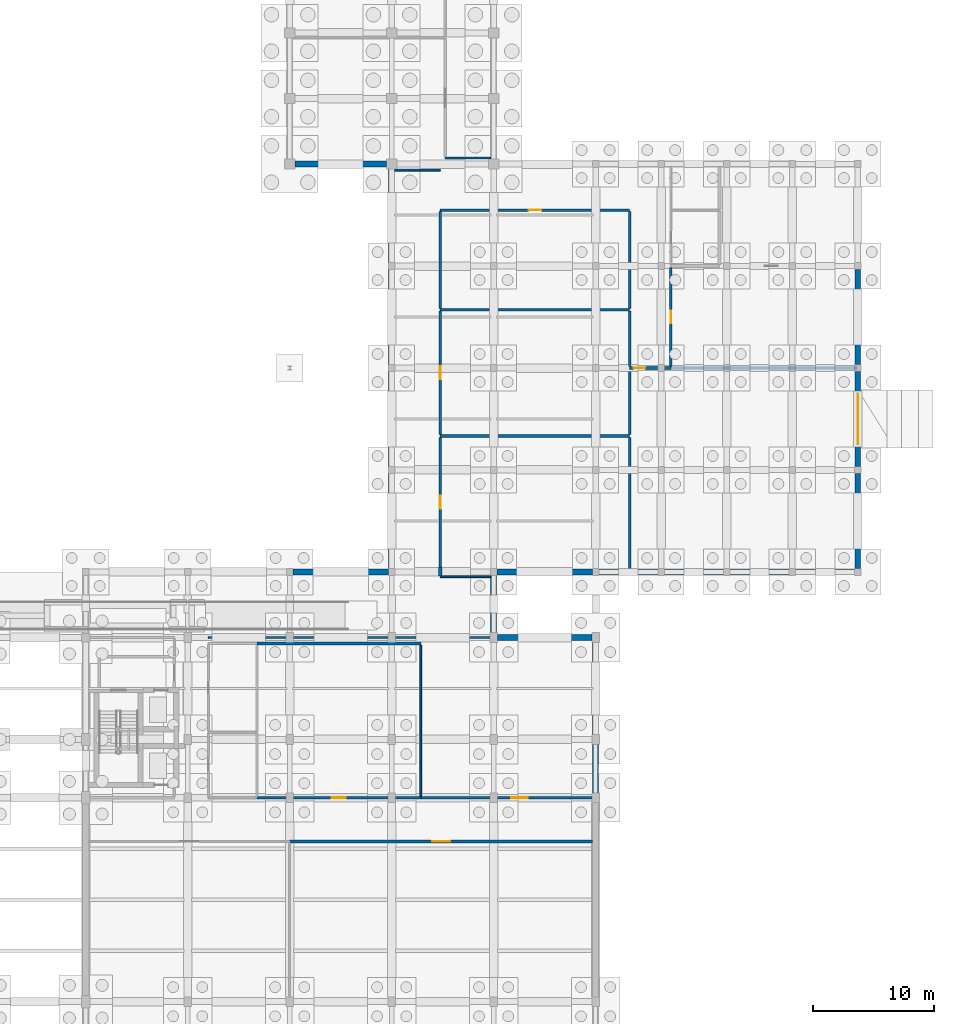
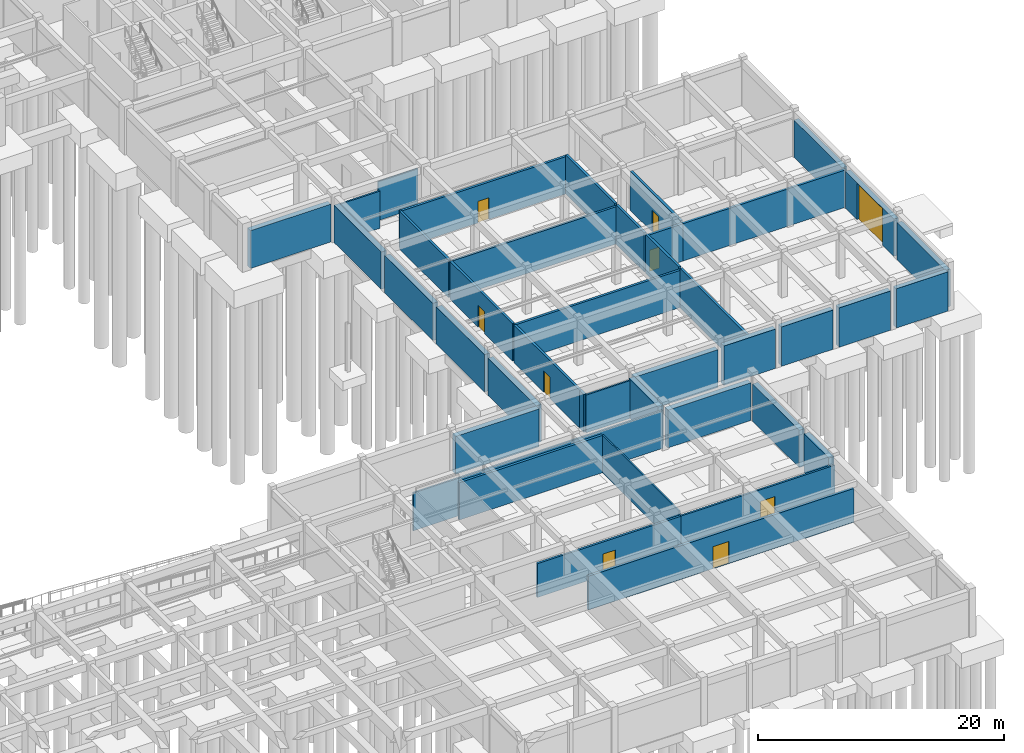
# One storey, part 39 of 49: 41 walls, 9 doors, 9 openings.
"""IFC4 building model written with IfcOpenShell, lengths in metres."""

from ifc_helpers import new_model, si_unit, direction, frame, frame_2d, origin, place, context, subcontext, project, spatial, rectangle, extrude, material, layer, layer_set, type_object, element, fill, save


model = new_model("IFC4")

# Units and contexts
model_context = context("Model", 3, precision=1e-05, world=origin(), true_north=direction((0.0, 1.0)))
body_context = subcontext(model_context, "Body", "Model", "MODEL_VIEW")
ifc_project = project(units=[si_unit("LENGTHUNIT", "METRE"), si_unit("AREAUNIT", "SQUARE_METRE"), si_unit("VOLUMEUNIT", "CUBIC_METRE"), si_unit("PLANEANGLEUNIT", "RADIAN"), si_unit("MASSUNIT", "GRAM", prefix="KILO")], contexts=[model_context])

# Site, building, storey
site_placement = place(None, origin())
site = spatial("IfcSite", under=ifc_project, at=site_placement, CompositionType="ELEMENT")
building_placement = place(site_placement, origin())
building = spatial("IfcBuilding", under=site, at=building_placement, Name="Krzemoval Escarpment Law Courts", CompositionType="ELEMENT")
storey_placement = place(building_placement, frame((0.0, 0.0, -4.800048828125)))
storey = spatial("IfcBuildingStorey", under=building, at=storey_placement, Name="B1", CompositionType="ELEMENT", Elevation=-4.800048828125)

# Walls
ifc_material_1 = material(Name="Sanitary Moisture-Resistant Partition", Category="gypsum")
ifc_layer_1 = layer(ifc_material_1, 0.139892578125)
ifc_layer_set_1 = layer_set([ifc_layer_1], Name="Sanitary Moisture-Resistant Partition")
wall_type_1 = type_object("IfcWallType", Name="WL-PRT-140", PredefinedType="PARTITIONING", material=ifc_layer_set_1)
wall_1_placement = place(storey_placement, frame((138.800048828125, 74.89990234375, 0.0), z_axis=(0.0, 0.0, 1.0), x_axis=(1.0, 0.0, 0.0)))
element("IfcWall", 1, at=wall_1_placement, inside=storey, type_object=wall_type_1, Name="Interior Partition PW-B1-0035", PredefinedType="PARTITIONING", context=body_context, shape_type="SweptSolid", body=[
    extrude(rectangle(XDim=3.748046875, YDim=0.139892578125, at=frame_2d((1.8740234375, 0.0))), origin(), (0.0, 0.0, 1.0), 3.85009765625),
])
wall_2_placement = place(storey_placement, frame((136.800048828125, 22.302001953125, 0.0), z_axis=(0.0, 0.0, 1.0), x_axis=(0.0, 1.0, 0.0)))
element("IfcWall", 2, at=wall_2_placement, inside=storey, type_object=wall_type_1, Name="Interior Partition PW-B1-0061", PredefinedType="PARTITIONING", context=body_context, shape_type="SweptSolid", body=[
    extrude(rectangle(XDim=12.47607421875, YDim=0.139892578125, at=frame_2d((6.238037109375, 0.0))), origin(), (0.0, 0.0, 1.0), 3.75),
])
ifc_material_2 = material(Name="Office Acoustic Partition Wall", Category="gypsum")
ifc_layer_2 = layer(ifc_material_2, 0.14990234375)
ifc_layer_set_2 = layer_set([ifc_layer_2], Name="Office Acoustic Partition Wall")
wall_type_2 = type_object("IfcWallType", Name="WL-PRT-150", PredefinedType="PARTITIONING", material=ifc_layer_set_2)
wall_3_placement = place(storey_placement, frame((138.39990234375, 40.39990234375, 0.0), z_axis=(0.0, 0.0, 1.0), x_axis=(1.0, 0.0, 0.0)))
element("IfcWall", 3, at=wall_3_placement, inside=storey, type_object=wall_type_2, Name="Interior Partition PW-B1-0025", PredefinedType="PARTITIONING", context=body_context, shape_type="SweptSolid", body=[
    extrude(rectangle(XDim=4.148193359375, YDim=0.14990234375, at=frame_2d((2.07421875, 0.0))), origin(), (0.0, 0.0, 1.0), 3.75),
])
ifc_material_3 = material(Name="Jury Suite Partition Assembly", Category="gypsum")
ifc_layer_3 = layer(ifc_material_3, 0.159912109375)
ifc_layer_set_3 = layer_set([ifc_layer_3], Name="Jury Suite Partition Assembly")
wall_type_3 = type_object("IfcWallType", Name="WL-PRT-160", PredefinedType="PARTITIONING", material=ifc_layer_set_3)
wall_4_placement = place(storey_placement, frame((119.300048828125, 35.39990234375, 0.0), z_axis=(0.0, 0.0, 1.0), x_axis=(1.0, 0.0, 0.0)))
element("IfcWall", 4, at=wall_4_placement, inside=storey, type_object=wall_type_3, Name="Interior Partition PW-B1-0024", PredefinedType="PARTITIONING", context=body_context, shape_type="SweptSolid", body=[
    extrude(rectangle(XDim=23.4208984375, YDim=0.159912109375, at=frame_2d((11.71044921875, 0.0))), origin(), (0.0, 0.0, 1.0), 3.75),
])
wall_5_placement = place(storey_placement, frame((134.652099609375, 73.89990234375, 0.0), z_axis=(0.0, 0.0, 1.0), x_axis=(1.0, 0.0, 0.0)))
element("IfcWall", 5, at=wall_5_placement, inside=storey, type_object=wall_type_3, Name="Interior Partition PW-B1-0034", PredefinedType="PARTITIONING", context=body_context, shape_type="SweptSolid", body=[
    extrude(rectangle(XDim=3.747802734375, YDim=0.159912109375, at=frame_2d((1.8740234375, 0.0))), origin(), (0.0, 0.0, 1.0), 3.699951171875),
])

# Wall, opening, door
ifc_material_4 = material(Name="Judicial Chambers Acoustic Partition", Category="gypsum")
ifc_layer_4 = layer(ifc_material_4, 0.179931640625)
ifc_layer_set_4 = layer_set([ifc_layer_4], Name="Judicial Chambers Acoustic Partition")
wall_type_4 = type_object("IfcWallType", Name="WL-PRT-180", PredefinedType="PARTITIONING", material=ifc_layer_set_4)
wall_6_placement = place(storey_placement, frame((136.800048828125, 22.199951171875, 0.0), z_axis=(0.0, 0.0, 1.0), x_axis=(1.0, 0.0, 0.0)))
wall_6 = element("IfcWall", 6, at=wall_6_placement, inside=storey, type_object=wall_type_4, Name="Interior Partition PW-B1-0018", PredefinedType="PARTITIONING", context=body_context, shape_type="SweptSolid", body=[
    extrude(rectangle(XDim=14.4638671875, YDim=0.179931640625, at=frame_2d((7.23193359375, 0.0))), origin(), (0.0, 0.0, 1.0), 3.35009765625),
])
opening_1_placement = place(wall_6_placement, frame((7.45703125, 0.0, 0.0)))
opening_1 = element("IfcOpeningElement", 7, at=opening_1_placement, cuts=wall_6, Name="Opening D-B1-0022", PredefinedType="OPENING", context=body_context, shape_type="SweptSolid", body=[
    extrude(rectangle(XDim=1.35009765625, YDim=2.199951171875, at=frame_2d((0.675048828125, 1.10009765625))), frame((0.0, 0.10497, 0.0), z_axis=(0.0, -1.0, 0.0), x_axis=(1.0, 0.0, 0.0)), (0.0, 0.0, 1.0), 0.20993),
])
ifc_material_5 = material(Name="Engineered Solid-Core Oak Acoustic Timber", Category="wood")
door_type_1 = type_object("IfcDoorType", Name="DR-INT-1350x2200", OperationType="SINGLE_SWING_LEFT", PredefinedType="DOOR", material=ifc_material_5)
door_1_placement = place(opening_1_placement, origin())
door_1 = element("IfcDoor", 8, at=door_1_placement, inside=storey, type_object=door_type_1, Name="Room Door D-B1-0022", OperationType="SINGLE_SWING_LEFT", OverallHeight=2.199951171875, OverallWidth=1.35009765625, PredefinedType="DOOR", context=body_context, shape_type="SweptSolid", body=[
    extrude(rectangle(XDim=1.35009765625, YDim=2.199951171875, at=frame_2d((0.675048828125, 1.10009765625))), frame((0.0, 0.02490234375, 0.0), z_axis=(0.0, -1.0, 0.0), x_axis=(1.0, 0.0, 0.0)), (0.0, 0.0, 1.0), 0.050048828125),
])
fill(opening_1, door_1)

ifc_material_6 = material(Name="Fire-Rated Corridor Partition Wall", Category="gypsum")
ifc_layer_5 = layer(ifc_material_6, 0.199951171875)
ifc_layer_set_5 = layer_set([ifc_layer_5], Name="Fire-Rated Corridor Partition Wall")
wall_type_5 = type_object("IfcWallType", Name="WL-PRT-200", PredefinedType="PARTITIONING", material=ifc_layer_set_5)
wall_7_placement = place(storey_placement, frame((123.300048828125, 22.199951171875, 0.0), z_axis=(0.0, 0.0, 1.0), x_axis=(1.0, 0.0, 0.0)))
wall_7 = element("IfcWall", 9, at=wall_7_placement, inside=storey, type_object=wall_type_5, Name="Interior Partition PW-B1-0017", PredefinedType="PARTITIONING", context=body_context, shape_type="SweptSolid", body=[
    extrude(rectangle(XDim=13.5, YDim=0.199951171875, at=frame_2d((6.75, 0.0))), origin(), (0.0, 0.0, 1.0), 3.35009765625),
])
opening_2_placement = place(wall_7_placement, frame((6.175048828125, 0.0, 0.0)))
opening_2 = element("IfcOpeningElement", 10, at=opening_2_placement, cuts=wall_7, Name="Opening D-B1-0021", PredefinedType="OPENING", context=body_context, shape_type="SweptSolid", body=[
    extrude(rectangle(XDim=1.14990234375, YDim=2.14990234375, at=frame_2d((0.574951171875, 1.074951171875))), frame((0.0, 0.11498, 0.0), z_axis=(0.0, -1.0, 0.0), x_axis=(1.0, 0.0, 0.0)), (0.0, 0.0, 1.0), 0.22995),
])
ifc_material_7 = material(Name="Engineered Solid-Core Oak Acoustic Timber", Category="wood")
door_type_2 = type_object("IfcDoorType", Name="DR-INT-1150x2150", OperationType="SINGLE_SWING_LEFT", PredefinedType="DOOR", material=ifc_material_7)
door_2_placement = place(opening_2_placement, origin())
door_2 = element("IfcDoor", 11, at=door_2_placement, inside=storey, type_object=door_type_2, Name="Room Door D-B1-0021", OperationType="SINGLE_SWING_RIGHT", OverallHeight=2.14990234375, OverallWidth=1.14990234375, PredefinedType="DOOR", context=body_context, shape_type="SweptSolid", body=[
    extrude(rectangle(XDim=1.14990234375, YDim=2.14990234375, at=frame_2d((0.574951171875, 1.074951171875))), frame((0.0, 0.02490234375, 0.0), z_axis=(0.0, -1.0, 0.0), x_axis=(1.0, 0.0, 0.0)), (0.0, 0.0, 1.0), 0.050048828125),
])
fill(opening_2, door_2)

# Wall
ifc_material_8 = material(Name="Solid Calcium-Silicate Custody Blockwork Partition", Category="masonry")
ifc_layer_6 = layer(ifc_material_8, 0.219970703125)
ifc_layer_set_6 = layer_set([ifc_layer_6], Name="Solid Calcium-Silicate Custody Blockwork Partition")
wall_type_6 = type_object("IfcWallType", Name="WL-PRT-220", PredefinedType="PARTITIONING", material=ifc_layer_set_6)
wall_8_placement = place(storey_placement, frame((138.39990234375, 52.0, 0.0), z_axis=(0.0, 0.0, 1.0), x_axis=(1.0, 0.0, 0.0)))
element("IfcWall", 12, at=wall_8_placement, inside=storey, type_object=wall_type_6, Name="Interior Partition PW-B1-0026", PredefinedType="PARTITIONING", context=body_context, shape_type="SweptSolid", body=[
    extrude(rectangle(XDim=15.60009765625, YDim=0.219970703125, at=frame_2d((7.800048828125, 0.0))), origin(), (0.0, 0.0, 1.0), 3.699951171875),
])

# Wall, opening, door
wall_9_placement = place(storey_placement, frame((154.0, 57.60009765625, 0.0), z_axis=(0.0, 0.0, 1.0), x_axis=(1.0, 0.0, 0.0)))
wall_9 = element("IfcWall", 13, at=wall_9_placement, inside=storey, type_object=wall_type_6, Name="Interior Partition PW-B1-0027", PredefinedType="PARTITIONING", context=body_context, shape_type="SweptSolid", body=[
    extrude(rectangle(XDim=3.39990234375, YDim=0.219970703125, at=frame_2d((1.699951171875, 0.0))), origin(), (0.0, 0.0, 1.0), 3.699951171875),
])
opening_3_placement = place(wall_9_placement, frame((0.324951171875, 0.0, 0.0)))
opening_3 = element("IfcOpeningElement", 14, at=opening_3_placement, cuts=wall_9, Name="Opening D-B1-0024", PredefinedType="OPENING", context=body_context, shape_type="SweptSolid", body=[
    extrude(rectangle(XDim=0.949951171875, YDim=2.10009765625, at=frame_2d((0.47509765625, 1.050048828125))), frame((0.0, 0.12499, 0.0), z_axis=(0.0, -1.0, 0.0), x_axis=(1.0, 0.0, 0.0)), (0.0, 0.0, 1.0), 0.24997),
])
ifc_material_9 = material(Name="Engineered Solid-Core Oak Acoustic Timber", Category="wood")
door_type_3 = type_object("IfcDoorType", Name="DR-INT-950x2100", OperationType="SINGLE_SWING_LEFT", PredefinedType="DOOR", material=ifc_material_9)
door_3_placement = place(opening_3_placement, origin())
door_3 = element("IfcDoor", 15, at=door_3_placement, inside=storey, type_object=door_type_3, Name="Room Door D-B1-0024", OperationType="SINGLE_SWING_RIGHT", OverallHeight=2.10009765625, OverallWidth=0.949951171875, PredefinedType="DOOR", context=body_context, shape_type="SweptSolid", body=[
    extrude(rectangle(XDim=0.949951171875, YDim=2.10009765625, at=frame_2d((0.47509765625, 1.050048828125))), frame((0.0, 0.02490234375, 0.0), z_axis=(0.0, -1.0, 0.0), x_axis=(1.0, 0.0, 0.0)), (0.0, 0.0, 1.0), 0.050048828125),
])
fill(opening_3, door_3)

# Walls
wall_10_placement = place(storey_placement, frame((157.39990234375, 57.60009765625, 0.0), z_axis=(0.0, 0.0, 1.0), x_axis=(1.0, 0.0, 0.0)))
element("IfcWall", 16, at=wall_10_placement, inside=storey, type_object=wall_type_6, Name="Interior Partition PW-B1-0028", PredefinedType="PARTITIONING", context=body_context, shape_type="SweptSolid", body=[
    extrude(rectangle(XDim=15.343994140625, YDim=0.219970703125, at=frame_2d((7.671875, 0.0))), origin(), (0.0, 0.0, 1.0), 3.699951171875),
])
wall_11_placement = place(storey_placement, frame((138.39990234375, 62.39990234375, 0.0), z_axis=(0.0, 0.0, 1.0), x_axis=(1.0, 0.0, 0.0)))
element("IfcWall", 17, at=wall_11_placement, inside=storey, type_object=wall_type_6, Name="Interior Partition PW-B1-0029", PredefinedType="PARTITIONING", context=body_context, shape_type="SweptSolid", body=[
    extrude(rectangle(XDim=15.60009765625, YDim=0.219970703125, at=frame_2d((7.800048828125, 0.0))), origin(), (0.0, 0.0, 1.0), 3.699951171875),
])

# Wall, opening, door
wall_12_placement = place(storey_placement, frame((138.39990234375, 70.60009765625, 0.0), z_axis=(0.0, 0.0, 1.0), x_axis=(1.0, 0.0, 0.0)))
wall_12 = element("IfcWall", 18, at=wall_12_placement, inside=storey, type_object=wall_type_6, Name="Interior Partition PW-B1-0032", PredefinedType="PARTITIONING", context=body_context, shape_type="SweptSolid", body=[
    extrude(rectangle(XDim=15.60009765625, YDim=0.219970703125, at=frame_2d((7.800048828125, 0.0))), origin(), (0.0, 0.0, 1.0), 3.699951171875),
])
opening_4_placement = place(wall_12_placement, frame((7.27490234375, 0.0, 0.0)))
opening_4 = element("IfcOpeningElement", 19, at=opening_4_placement, cuts=wall_12, Name="Opening D-B1-0027", PredefinedType="OPENING", context=body_context, shape_type="SweptSolid", body=[
    extrude(rectangle(XDim=1.050048828125, YDim=2.14990234375, at=frame_2d((0.52490234375, 1.074951171875))), frame((0.0, 0.12499, 0.0), z_axis=(0.0, -1.0, 0.0), x_axis=(1.0, 0.0, 0.0)), (0.0, 0.0, 1.0), 0.24997),
])
ifc_material_10 = material(Name="Galvanised Steel S355", Category="steel")
door_type_4 = type_object("IfcDoorType", Name="DR-CUS-1050x2150", OperationType="SINGLE_SWING_LEFT", PredefinedType="DOOR", material=ifc_material_10)
door_4_placement = place(opening_4_placement, origin())
door_4 = element("IfcDoor", 20, at=door_4_placement, inside=storey, type_object=door_type_4, Name="Room Door D-B1-0027", OperationType="SINGLE_SWING_LEFT", OverallHeight=2.14990234375, OverallWidth=1.050048828125, PredefinedType="DOOR", context=body_context, shape_type="SweptSolid", body=[
    extrude(rectangle(XDim=1.050048828125, YDim=2.14990234375, at=frame_2d((0.52490234375, 1.074951171875))), frame((0.0, 0.02490234375, 0.0), z_axis=(0.0, -1.0, 0.0), x_axis=(1.0, 0.0, 0.0)), (0.0, 0.0, 1.0), 0.050048828125),
])
fill(opening_4, door_4)

wall_13_placement = place(storey_placement, frame((138.39990234375, 41.199951171875, 0.0), z_axis=(0.0, 0.0, 1.0), x_axis=(0.0, 1.0, 0.0)))
wall_13 = element("IfcWall", 21, at=wall_13_placement, inside=storey, type_object=wall_type_6, Name="Interior Partition PW-B1-0063", PredefinedType="PARTITIONING", context=body_context, shape_type="SweptSolid", body=[
    extrude(rectangle(XDim=10.68798828125, YDim=0.219970703125, at=frame_2d((5.343994140625, 0.0))), origin(), (0.0, 0.0, 1.0), 3.75),
])
opening_5_placement = place(wall_13_placement, frame((4.819091796875, 0.0, 0.0)))
opening_5 = element("IfcOpeningElement", 22, at=opening_5_placement, cuts=wall_13, Name="Opening D-B1-0023", PredefinedType="OPENING", context=body_context, shape_type="SweptSolid", body=[
    extrude(rectangle(XDim=1.050048828125, YDim=2.14990234375, at=frame_2d((0.52490234375, 1.074951171875))), frame((0.0, 0.12499, 0.0), z_axis=(0.0, -1.0, 0.0), x_axis=(1.0, 0.0, 0.0)), (0.0, 0.0, 1.0), 0.24997),
])
door_5_placement = place(opening_5_placement, origin())
door_5 = element("IfcDoor", 23, at=door_5_placement, inside=storey, type_object=door_type_4, Name="Room Door D-B1-0023", OperationType="SINGLE_SWING_LEFT", OverallHeight=2.14990234375, OverallWidth=1.050048828125, PredefinedType="DOOR", context=body_context, shape_type="SweptSolid", body=[
    extrude(rectangle(XDim=1.050048828125, YDim=2.14990234375, at=frame_2d((0.52490234375, 1.074951171875))), frame((0.0, 0.02490234375, 0.0), z_axis=(0.0, -1.0, 0.0), x_axis=(1.0, 0.0, 0.0)), (0.0, 0.0, 1.0), 0.050048828125),
])
fill(opening_5, door_5)

wall_14_placement = place(storey_placement, frame((138.39990234375, 52.112060546875, 0.0), z_axis=(0.0, 0.0, 1.0), x_axis=(0.0, 1.0, 0.0)))
wall_14 = element("IfcWall", 24, at=wall_14_placement, inside=storey, type_object=wall_type_6, Name="Interior Partition PW-B1-0064", PredefinedType="PARTITIONING", context=body_context, shape_type="SweptSolid", body=[
    extrude(rectangle(XDim=10.176025390625, YDim=0.219970703125, at=frame_2d((5.087890625, 0.0))), origin(), (0.0, 0.0, 1.0), 3.75),
])
opening_6_placement = place(wall_14_placement, frame((4.56298828125, 0.0, 0.0)))
opening_6 = element("IfcOpeningElement", 25, at=opening_6_placement, cuts=wall_14, Name="Opening D-B1-0025", PredefinedType="OPENING", context=body_context, shape_type="SweptSolid", body=[
    extrude(rectangle(XDim=1.050048828125, YDim=2.14990234375, at=frame_2d((0.52490234375, 1.074951171875))), frame((0.0, 0.12499, 0.0), z_axis=(0.0, -1.0, 0.0), x_axis=(1.0, 0.0, 0.0)), (0.0, 0.0, 1.0), 0.24997),
])
door_6_placement = place(opening_6_placement, origin())
door_6 = element("IfcDoor", 26, at=door_6_placement, inside=storey, type_object=door_type_4, Name="Room Door D-B1-0025", OperationType="SINGLE_SWING_LEFT", OverallHeight=2.14990234375, OverallWidth=1.050048828125, PredefinedType="DOOR", context=body_context, shape_type="SweptSolid", body=[
    extrude(rectangle(XDim=1.050048828125, YDim=2.14990234375, at=frame_2d((0.52490234375, 1.074951171875))), frame((0.0, 0.02490234375, 0.0), z_axis=(0.0, -1.0, 0.0), x_axis=(1.0, 0.0, 0.0)), (0.0, 0.0, 1.0), 0.050048828125),
])
fill(opening_6, door_6)

# Walls
wall_15_placement = place(storey_placement, frame((138.39990234375, 62.511962890625, 0.0), z_axis=(0.0, 0.0, 1.0), x_axis=(0.0, 1.0, 0.0)))
element("IfcWall", 27, at=wall_15_placement, inside=storey, type_object=wall_type_6, Name="Interior Partition PW-B1-0065", PredefinedType="PARTITIONING", context=body_context, shape_type="SweptSolid", body=[
    extrude(rectangle(XDim=7.97607421875, YDim=0.219970703125, at=frame_2d((3.988037109375, 0.0))), origin(), (0.0, 0.0, 1.0), 3.75),
])
wall_16_placement = place(storey_placement, frame((154.0, 41.052001953125, 0.0), z_axis=(0.0, 0.0, 1.0), x_axis=(0.0, 1.0, 0.0)))
element("IfcWall", 28, at=wall_16_placement, inside=storey, type_object=wall_type_6, Name="Interior Partition PW-B1-0071", PredefinedType="PARTITIONING", context=body_context, shape_type="SweptSolid", body=[
    extrude(rectangle(XDim=10.8359375, YDim=0.219970703125, at=frame_2d((5.41796875, 0.0))), origin(), (0.0, 0.0, 1.0), 3.900146484375),
])
wall_17_placement = place(storey_placement, frame((154.0, 52.112060546875, 0.0), z_axis=(0.0, 0.0, 1.0), x_axis=(0.0, 1.0, 0.0)))
element("IfcWall", 29, at=wall_17_placement, inside=storey, type_object=wall_type_6, Name="Interior Partition PW-B1-0072", PredefinedType="PARTITIONING", context=body_context, shape_type="SweptSolid", body=[
    extrude(rectangle(XDim=5.3759765625, YDim=0.219970703125, at=frame_2d((2.68798828125, 0.0))), origin(), (0.0, 0.0, 1.0), 3.900146484375),
])
wall_18_placement = place(storey_placement, frame((154.0, 57.7119140625, 0.0), z_axis=(0.0, 0.0, 1.0), x_axis=(0.0, 1.0, 0.0)))
element("IfcWall", 30, at=wall_18_placement, inside=storey, type_object=wall_type_6, Name="Interior Partition PW-B1-0073", PredefinedType="PARTITIONING", context=body_context, shape_type="SweptSolid", body=[
    extrude(rectangle(XDim=4.576171875, YDim=0.219970703125, at=frame_2d((2.2880859375, 0.0))), origin(), (0.0, 0.0, 1.0), 3.900146484375),
])
wall_19_placement = place(storey_placement, frame((154.0, 62.511962890625, 0.0), z_axis=(0.0, 0.0, 1.0), x_axis=(0.0, 1.0, 0.0)))
element("IfcWall", 31, at=wall_19_placement, inside=storey, type_object=wall_type_6, Name="Interior Partition PW-B1-0074", PredefinedType="PARTITIONING", context=body_context, shape_type="SweptSolid", body=[
    extrude(rectangle(XDim=7.97607421875, YDim=0.219970703125, at=frame_2d((3.988037109375, 0.0))), origin(), (0.0, 0.0, 1.0), 3.900146484375),
])

# Wall, opening, door
wall_20_placement = place(storey_placement, frame((157.39990234375, 57.7119140625, 0.0), z_axis=(0.0, 0.0, 1.0), x_axis=(0.0, 1.0, 0.0)))
wall_20 = element("IfcWall", 32, at=wall_20_placement, inside=storey, type_object=wall_type_6, Name="Interior Partition PW-B1-0077", PredefinedType="PARTITIONING", context=body_context, shape_type="SweptSolid", body=[
    extrude(rectangle(XDim=8.176025390625, YDim=0.219970703125, at=frame_2d((4.087890625, 0.0))), origin(), (0.0, 0.0, 1.0), 3.900146484375),
])
opening_7_placement = place(wall_20_placement, frame((3.56298828125, 0.0, 0.0)))
opening_7 = element("IfcOpeningElement", 33, at=opening_7_placement, cuts=wall_20, Name="Opening D-B1-0026", PredefinedType="OPENING", context=body_context, shape_type="SweptSolid", body=[
    extrude(rectangle(XDim=1.050048828125, YDim=2.14990234375, at=frame_2d((0.52490234375, 1.074951171875))), frame((0.0, 0.12499, 0.0), z_axis=(0.0, -1.0, 0.0), x_axis=(1.0, 0.0, 0.0)), (0.0, 0.0, 1.0), 0.24997),
])
door_7_placement = place(opening_7_placement, origin())
door_7 = element("IfcDoor", 34, at=door_7_placement, inside=storey, type_object=door_type_4, Name="Room Door D-B1-0026", OperationType="SINGLE_SWING_RIGHT", OverallHeight=2.14990234375, OverallWidth=1.050048828125, PredefinedType="DOOR", context=body_context, shape_type="SweptSolid", body=[
    extrude(rectangle(XDim=1.050048828125, YDim=2.14990234375, at=frame_2d((0.52490234375, 1.074951171875))), frame((0.0, 0.02490234375, 0.0), z_axis=(0.0, -1.0, 0.0), x_axis=(1.0, 0.0, 0.0)), (0.0, 0.0, 1.0), 0.050048828125),
])
fill(opening_7, door_7)

ifc_material_11 = material(Name="Acoustic Calcium-Silicate Block Wall", Category="masonry")
ifc_layer_7 = layer(ifc_material_11, 0.22998046875)
ifc_layer_set_7 = layer_set([ifc_layer_7], Name="Acoustic Calcium-Silicate Block Wall")
wall_type_7 = type_object("IfcWallType", Name="WL-PRT-230", PredefinedType="SOLIDWALL", material=ifc_layer_set_7)
wall_21_placement = place(storey_placement, frame((126.0, 18.60009765625, 0.0), z_axis=(0.0, 0.0, 1.0), x_axis=(1.0, 0.0, 0.0)))
wall_21 = element("IfcWall", 35, at=wall_21_placement, inside=storey, type_object=wall_type_7, Name="Interior Partition PW-B1-0014", PredefinedType="SOLIDWALL", context=body_context, shape_type="SweptSolid", body=[
    extrude(rectangle(XDim=24.947998046875, YDim=0.22998046875, at=frame_2d((12.47412109375, 0.0))), origin(), (0.0, 0.0, 1.0), 3.35009765625),
])
opening_8_placement = place(wall_21_placement, frame((11.72412109375, 0.0, 0.0)))
opening_8 = element("IfcOpeningElement", 36, at=opening_8_placement, cuts=wall_21, Name="Opening D-B1-0018", PredefinedType="OPENING", context=body_context, shape_type="SweptSolid", body=[
    extrude(rectangle(XDim=1.5, YDim=2.199951171875, at=frame_2d((0.75, 1.10009765625))), frame((0.0, 0.12999, 0.0), z_axis=(0.0, -1.0, 0.0), x_axis=(1.0, 0.0, 0.0)), (0.0, 0.0, 1.0), 0.25998),
])
ifc_material_12 = material(Name="Engineered Solid-Core Oak Acoustic Timber", Category="wood")
door_type_5 = type_object("IfcDoorType", Name="DR-INT-1500x2200", OperationType="SINGLE_SWING_LEFT", PredefinedType="DOOR", material=ifc_material_12)
door_8_placement = place(opening_8_placement, origin())
door_8 = element("IfcDoor", 37, at=door_8_placement, inside=storey, type_object=door_type_5, Name="Room Door D-B1-0018", OperationType="SINGLE_SWING_LEFT", OverallHeight=2.199951171875, OverallWidth=1.5, PredefinedType="DOOR", context=body_context, shape_type="SweptSolid", body=[
    extrude(rectangle(XDim=1.5, YDim=2.199951171875, at=frame_2d((0.75, 1.10009765625))), frame((0.0, 0.02490234375, 0.0), z_axis=(0.0, -1.0, 0.0), x_axis=(1.0, 0.0, 0.0)), (0.0, 0.0, 1.0), 0.050048828125),
])
fill(opening_8, door_8)

# Walls
ifc_material_13 = material(Name="Acoustic Courtroom Partition Assembly", Category="gypsum")
ifc_layer_8 = layer(ifc_material_13, 0.239990234375)
ifc_layer_set_8 = layer_set([ifc_layer_8], Name="Acoustic Courtroom Partition Assembly")
wall_type_8 = type_object("IfcWallType", Name="WL-PRT-240", PredefinedType="PARTITIONING", material=ifc_layer_set_8)
wall_22_placement = place(storey_placement, frame((123.300048828125, 34.89990234375, 0.0), z_axis=(0.0, 0.0, 1.0), x_axis=(1.0, 0.0, 0.0)))
element("IfcWall", 38, at=wall_22_placement, inside=storey, type_object=wall_type_8, Name="Interior Partition PW-B1-0022", PredefinedType="PARTITIONING", context=body_context, shape_type="SweptSolid", body=[
    extrude(rectangle(XDim=13.5, YDim=0.239990234375, at=frame_2d((6.75, 0.0))), origin(), (0.0, 0.0, 1.0), 3.699951171875),
])
ifc_material_14 = material(Name="Acoustic Double-Stud Gypsum and Mineral Wool Wall", Category="gypsum")
ifc_layer_9 = layer(ifc_material_14, 0.260009765625)
ifc_layer_set_9 = layer_set([ifc_layer_9], Name="Acoustic Double-Stud Gypsum and Mineral Wool Wall")
wall_type_9 = type_object("IfcWallType", Name="WL-PRT-260", PredefinedType="PARTITIONING", material=ifc_layer_set_9)
wall_23_placement = place(storey_placement, frame((138.39990234375, 40.47705078125, 0.0), z_axis=(0.0, 0.0, 1.0), x_axis=(0.0, 1.0, 0.0)))
element("IfcWall", 39, at=wall_23_placement, inside=storey, type_object=wall_type_9, Name="Interior Partition PW-B1-0062", PredefinedType="PARTITIONING", context=body_context, shape_type="SweptSolid", body=[
    extrude(rectangle(XDim=0.722900390625, YDim=0.260009765625, at=frame_2d((0.361328125, 0.0))), origin(), (0.0, 0.0, 1.0), 3.75),
])
ifc_material_15 = material(Name="Concrete C35/45", Category="concrete")
ifc_layer_10 = layer(ifc_material_15, 0.449951171875)
ifc_layer_set_10 = layer_set([ifc_layer_10], Name="Concrete C35/45")
wall_type_10 = type_object("IfcWallType", Name="WL-RET-450", PredefinedType="USERDEFINED", material=ifc_layer_set_10)
wall_24_placement = place(storey_placement, frame((172.800048828125, 65.72509765625, 0.0), z_axis=(0.0, 0.0, 1.0), x_axis=(0.0, -1.0, 0.0)))
element("IfcWall", 40, at=wall_24_placement, inside=storey, type_object=wall_type_10, Name="Exterior Wall EW-B1-0051", ObjectType="RETAININGWALL", PredefinedType="USERDEFINED", context=body_context, shape_type="SweptSolid", body=[
    extrude(rectangle(XDim=7.85009765625, YDim=0.449951171875, at=frame_2d((3.925048828125, 0.0))), origin(), (0.0, 0.0, 1.0), 3.699951171875),
])

# Wall, opening, door
wall_25_placement = place(storey_placement, frame((172.800048828125, 57.324951171875, 0.0), z_axis=(0.0, 0.0, 1.0), x_axis=(0.0, -1.0, 0.0)))
wall_25 = element("IfcWall", 41, at=wall_25_placement, inside=storey, type_object=wall_type_10, Name="Exterior Wall EW-B1-0052", ObjectType="RETAININGWALL", PredefinedType="USERDEFINED", context=body_context, shape_type="SweptSolid", body=[
    extrude(rectangle(XDim=7.849853515625, YDim=0.449951171875, at=frame_2d((3.9248046875, 0.0))), origin(), (0.0, 0.0, 1.0), 3.699951171875),
])
opening_9_placement = place(wall_25_placement, frame((1.824951171875, 0.0, 0.0)))
opening_9 = element("IfcOpeningElement", 42, at=opening_9_placement, cuts=wall_25, Name="Opening VG1", PredefinedType="OPENING", context=body_context, shape_type="SweptSolid", body=[
    extrude(rectangle(XDim=4.199951171875, YDim=3.64990234375, at=frame_2d((2.10009765625, 1.824951171875))), frame((0.0, 0.23998, 0.0), z_axis=(0.0, -1.0, 0.0), x_axis=(1.0, 0.0, 0.0)), (0.0, 0.0, 1.0), 0.47995),
])
ifc_material_16 = material(Name="Galvanised Steel S355", Category="steel")
door_type_6 = type_object("IfcDoorType", Name="DR-VG1-4200x3650", OperationType="SINGLE_SWING_LEFT", PredefinedType="GATE", material=ifc_material_16)
door_9_placement = place(opening_9_placement, origin())
door_9 = element("IfcDoor", 43, at=door_9_placement, inside=storey, type_object=door_type_6, Name="Sally Port Security Roller Shutter VG1", OperationType="ROLLINGUP", OverallHeight=3.64990234375, OverallWidth=4.199951171875, PredefinedType="GATE", context=body_context, shape_type="SweptSolid", body=[
    extrude(rectangle(XDim=4.199951171875, YDim=3.64990234375, at=frame_2d((2.10009765625, 1.824951171875))), frame((0.0, 0.02490234375, 0.0), z_axis=(0.0, -1.0, 0.0), x_axis=(1.0, 0.0, 0.0)), (0.0, 0.0, 1.0), 0.050048828125),
])
fill(opening_9, door_9)

# Walls
wall_26_placement = place(storey_placement, frame((172.800048828125, 48.925048828125, 0.0), z_axis=(0.0, 0.0, 1.0), x_axis=(0.0, -1.0, 0.0)))
element("IfcWall", 44, at=wall_26_placement, inside=storey, type_object=wall_type_10, Name="Exterior Wall EW-B1-0053", ObjectType="RETAININGWALL", PredefinedType="USERDEFINED", context=body_context, shape_type="SweptSolid", body=[
    extrude(rectangle(XDim=7.85009765625, YDim=0.449951171875, at=frame_2d((3.925048828125, 0.0))), origin(), (0.0, 0.0, 1.0), 3.699951171875),
])
wall_27_placement = place(storey_placement, frame((172.52490234375, 40.800048828125, 0.0), z_axis=(0.0, 0.0, 1.0), x_axis=(-1.0, 0.0, 0.0)))
element("IfcWall", 45, at=wall_27_placement, inside=storey, type_object=wall_type_10, Name="Exterior Wall EW-B1-0054", ObjectType="RETAININGWALL", PredefinedType="USERDEFINED", context=body_context, shape_type="SweptSolid", body=[
    extrude(rectangle(XDim=4.849853515625, YDim=0.449951171875, at=frame_2d((2.4248046875, 0.0))), origin(), (0.0, 0.0, 1.0), 3.900146484375),
])
ifc_material_17 = material(Name="Concrete C35/45", Category="concrete")
ifc_layer_11 = layer(ifc_material_17, 0.5)
ifc_layer_set_11 = layer_set([ifc_layer_11], Name="Concrete C35/45")
wall_type_11 = type_object("IfcWallType", Name="WL-RET-500", PredefinedType="USERDEFINED", material=ifc_layer_set_11)
wall_28_placement = place(storey_placement, frame((126.27490234375, 40.800048828125, 0.0), z_axis=(0.0, 0.0, 1.0), x_axis=(1.0, 0.0, 0.0)))
element("IfcWall", 46, at=wall_28_placement, inside=storey, type_object=wall_type_11, Name="Exterior Wall EW-B1-0013", ObjectType="RETAININGWALL", PredefinedType="USERDEFINED", context=body_context, shape_type="SweptSolid", body=[
    extrude(rectangle(XDim=7.85009765625, YDim=0.5, at=frame_2d((3.925048828125, 0.0))), origin(), (0.0, 0.0, 1.0), 3.75),
])
wall_29_placement = place(storey_placement, frame((134.39990234375, 41.074951171875, 0.0), z_axis=(0.0, 0.0, 1.0), x_axis=(0.0, 1.0, 0.0)))
element("IfcWall", 47, at=wall_29_placement, inside=storey, type_object=wall_type_11, Name="Exterior Wall EW-B1-0014", ObjectType="RETAININGWALL", PredefinedType="USERDEFINED", context=body_context, shape_type="SweptSolid", body=[
    extrude(rectangle(XDim=7.85009765625, YDim=0.5, at=frame_2d((3.925048828125, 0.0))), origin(), (0.0, 0.0, 1.0), 3.699951171875),
])
wall_30_placement = place(storey_placement, frame((134.39990234375, 49.47509765625, 0.0), z_axis=(0.0, 0.0, 1.0), x_axis=(0.0, 1.0, 0.0)))
element("IfcWall", 48, at=wall_30_placement, inside=storey, type_object=wall_type_11, Name="Exterior Wall EW-B1-0015", ObjectType="RETAININGWALL", PredefinedType="USERDEFINED", context=body_context, shape_type="SweptSolid", body=[
    extrude(rectangle(XDim=7.849853515625, YDim=0.5, at=frame_2d((3.9248046875, 0.0))), origin(), (0.0, 0.0, 1.0), 3.699951171875),
])
wall_31_placement = place(storey_placement, frame((134.39990234375, 57.875, 0.0), z_axis=(0.0, 0.0, 1.0), x_axis=(0.0, 1.0, 0.0)))
element("IfcWall", 49, at=wall_31_placement, inside=storey, type_object=wall_type_11, Name="Exterior Wall EW-B1-0016", ObjectType="RETAININGWALL", PredefinedType="USERDEFINED", context=body_context, shape_type="SweptSolid", body=[
    extrude(rectangle(XDim=7.85009765625, YDim=0.5, at=frame_2d((3.925048828125, 0.0))), origin(), (0.0, 0.0, 1.0), 3.699951171875),
])
wall_32_placement = place(storey_placement, frame((134.39990234375, 66.27490234375, 0.0), z_axis=(0.0, 0.0, 1.0), x_axis=(0.0, 1.0, 0.0)))
element("IfcWall", 50, at=wall_32_placement, inside=storey, type_object=wall_type_11, Name="Exterior Wall EW-B1-0017", ObjectType="RETAININGWALL", PredefinedType="USERDEFINED", context=body_context, shape_type="SweptSolid", body=[
    extrude(rectangle(XDim=7.7001953125, YDim=0.5, at=frame_2d((3.85009765625, 0.0))), origin(), (0.0, 0.0, 1.0), 3.699951171875),
])
wall_33_placement = place(storey_placement, frame((133.97509765625, 74.39990234375, 0.0), z_axis=(0.0, 0.0, 1.0), x_axis=(-1.0, 0.0, 0.0)))
element("IfcWall", 51, at=wall_33_placement, inside=storey, type_object=wall_type_11, Name="Exterior Wall EW-B1-0018", ObjectType="RETAININGWALL", PredefinedType="USERDEFINED", context=body_context, shape_type="SweptSolid", body=[
    extrude(rectangle(XDim=7.550048828125, YDim=0.5, at=frame_2d((3.77490234375, 0.0))), origin(), (0.0, 0.0, 1.0), 3.75),
])
for number, where, z_axis, x_axis, name in (
    (52, (167.125, 40.800048828125, 0.0), (0.0, 0.0, 1.0), (-1.0, 0.0, 0.0), "Exterior Wall EW-B1-0055"),
    (53, (161.72509765625, 40.800048828125, 0.0), (0.0, 0.0, 1.0), (-1.0, 0.0, 0.0), "Exterior Wall EW-B1-0056"),
):
    element("IfcWall", number, at=place(storey_placement, frame(where, z_axis=z_axis, x_axis=x_axis)), inside=storey, type_object=wall_type_11, Name=name, ObjectType="RETAININGWALL", PredefinedType="USERDEFINED", context=body_context, shape_type="SweptSolid", body=[
        extrude(rectangle(XDim=4.85009765625, YDim=0.5, at=frame_2d((2.425048828125, 0.0))), origin(), (0.0, 0.0, 1.0), 3.900146484375),
    ])
wall_34_placement = place(storey_placement, frame((156.324951171875, 40.800048828125, 0.0), z_axis=(0.0, 0.0, 1.0), x_axis=(-1.0, 0.0, 0.0)))
element("IfcWall", 54, at=wall_34_placement, inside=storey, type_object=wall_type_11, Name="Exterior Wall EW-B1-0057", ObjectType="RETAININGWALL", PredefinedType="USERDEFINED", context=body_context, shape_type="SweptSolid", body=[
    extrude(rectangle(XDim=4.849853515625, YDim=0.5, at=frame_2d((2.4248046875, 0.0))), origin(), (0.0, 0.0, 1.0), 3.900146484375),
])
wall_35_placement = place(storey_placement, frame((150.925048828125, 40.800048828125, 0.0), z_axis=(0.0, 0.0, 1.0), x_axis=(-1.0, 0.0, 0.0)))
element("IfcWall", 55, at=wall_35_placement, inside=storey, type_object=wall_type_11, Name="Exterior Wall EW-B1-0058", ObjectType="RETAININGWALL", PredefinedType="USERDEFINED", context=body_context, shape_type="SweptSolid", body=[
    extrude(rectangle(XDim=7.85009765625, YDim=0.5, at=frame_2d((3.925048828125, 0.0))), origin(), (0.0, 0.0, 1.0), 3.75),
])
wall_36_placement = place(storey_placement, frame((142.800048828125, 40.52490234375, 0.0), z_axis=(0.0, 0.0, 1.0), x_axis=(0.0, -1.0, 0.0)))
element("IfcWall", 56, at=wall_36_placement, inside=storey, type_object=wall_type_11, Name="Exterior Wall EW-B1-0059", ObjectType="RETAININGWALL", PredefinedType="USERDEFINED", context=body_context, shape_type="SweptSolid", body=[
    extrude(rectangle(XDim=4.724853515625, YDim=0.5, at=frame_2d((2.3623046875, 0.0))), origin(), (0.0, 0.0, 1.0), 3.85009765625),
])
wall_37_placement = place(storey_placement, frame((143.10009765625, 35.39990234375, 0.0), z_axis=(0.0, 0.0, 1.0), x_axis=(1.0, 0.0, 0.0)))
element("IfcWall", 57, at=wall_37_placement, inside=storey, type_object=wall_type_11, Name="Exterior Wall EW-B1-0060", ObjectType="RETAININGWALL", PredefinedType="USERDEFINED", context=body_context, shape_type="SweptSolid", body=[
    extrude(rectangle(XDim=7.7998046875, YDim=0.5, at=frame_2d((3.89990234375, 0.0))), origin(), (0.0, 0.0, 1.0), 3.75),
])
wall_38_placement = place(storey_placement, frame((151.199951171875, 35.0, 0.0), z_axis=(0.0, 0.0, 1.0), x_axis=(0.0, -1.0, 0.0)))
element("IfcWall", 58, at=wall_38_placement, inside=storey, type_object=wall_type_11, Name="Exterior Wall EW-B1-0061", ObjectType="RETAININGWALL", PredefinedType="USERDEFINED", context=body_context, shape_type="SweptSolid", body=[
    extrude(rectangle(XDim=7.60009765625, YDim=0.5, at=frame_2d((3.800048828125, 0.0))), origin(), (0.0, 0.0, 1.0), 3.699951171875),
])
wall_39_placement = place(storey_placement, frame((151.199951171875, 26.60009765625, 0.0), z_axis=(0.0, 0.0, 1.0), x_axis=(0.0, -1.0, 0.0)))
element("IfcWall", 59, at=wall_39_placement, inside=storey, type_object=wall_type_11, Name="Exterior Wall EW-B1-0062", ObjectType="RETAININGWALL", PredefinedType="USERDEFINED", context=body_context, shape_type="SweptSolid", body=[
    extrude(rectangle(XDim=4.0, YDim=0.5, at=frame_2d((2.0, 0.0))), origin(), (0.0, 0.0, 1.0), 3.85009765625),
])

save(model, "model.ifc")
